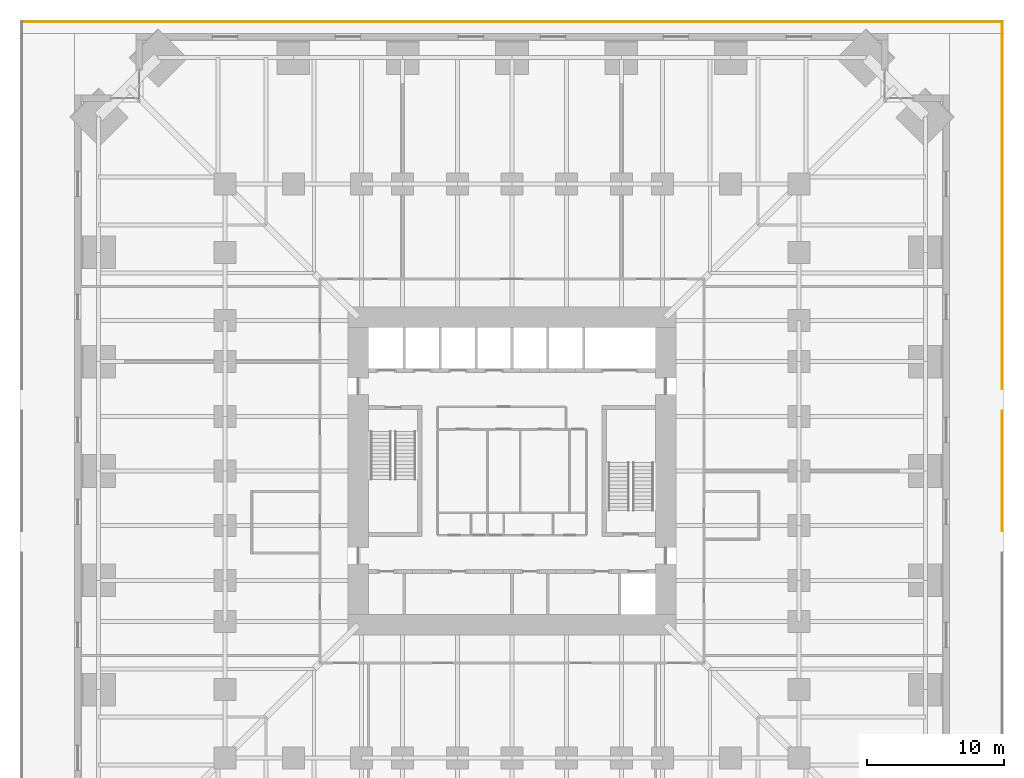
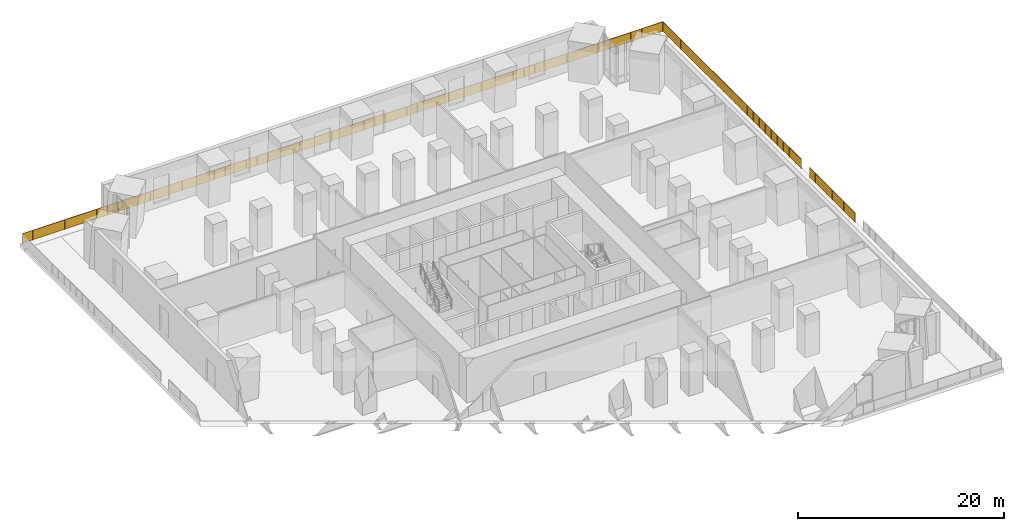
# One storey, part 26 of 26: 3 railings.
"""IFC4 building model written with IfcOpenShell, lengths in metres."""

from ifc_helpers import new_model, si_unit, direction, frame, origin, origin_2d, place, context, subcontext, project, spatial, rectangle, circle, extrude, material, type_object, element, save


model = new_model("IFC4")

# Units and contexts
model_context = context("Model", 3, precision=1e-05, world=origin(), true_north=direction((0.0, 1.0)))
body_context = subcontext(model_context, "Body", "Model", "MODEL_VIEW")
ifc_project = project(units=[si_unit("LENGTHUNIT", "METRE"), si_unit("AREAUNIT", "SQUARE_METRE"), si_unit("VOLUMEUNIT", "CUBIC_METRE"), si_unit("PLANEANGLEUNIT", "RADIAN"), si_unit("MASSUNIT", "GRAM", prefix="KILO")], contexts=[model_context])

# Site, building, storey
site_placement = place(None, origin())
site = spatial("IfcSite", under=ifc_project, at=site_placement, CompositionType="ELEMENT")
building_placement = place(site_placement, origin())
building = spatial("IfcBuilding", under=site, at=building_placement, Name="Peilmerk Tower", CompositionType="ELEMENT")
storey_placement = place(building_placement, frame((0.0, 0.0, 16.0)))
storey = spatial("IfcBuildingStorey", under=building, at=storey_placement, Name="L03", CompositionType="ELEMENT", Elevation=16.0)

# Railings
ifc_material = material(Name="Galvanised steel posts and top rail, laminated glass infill 16", Category="steel")
railing_type = type_object("IfcRailingType", Name="GR2 1200 terrace balustrade", PredefinedType="BALUSTRADE", material=ifc_material)
railing_1_placement = place(storey_placement, frame((35.85009765625, -4.39990234375, 0.0)))
element("IfcRailing", 1, at=railing_1_placement, inside=storey, type_object=railing_type, Name="Terrace balustrade L03", PredefinedType="BALUSTRADE", context=body_context, shape_type="SweptSolid", body=[
    extrude(circle(Radius=0.02392578125, at=origin_2d()), frame((0.0, 0.0, 1.17578125), z_axis=(0.0, 1.0, 0.0), x_axis=(-1.0, 0.0, 0.0)), (0.0, 0.0, 1.0), 8.7998046875),
    extrude(circle(Radius=0.02099609375, at=origin_2d()), origin(), (0.0, 0.0, 1.0), 1.15185546875),
    extrude(circle(Radius=0.02099609375, at=origin_2d()), frame((0.0, 1.10009765625, 0.0)), (0.0, 0.0, 1.0), 1.15185546875),
    extrude(circle(Radius=0.02099609375, at=origin_2d()), frame((0.0, 2.199951171875, 0.0)), (0.0, 0.0, 1.0), 1.15185546875),
    extrude(circle(Radius=0.02099609375, at=origin_2d()), frame((0.0, 3.2998046875, 0.0)), (0.0, 0.0, 1.0), 1.15185546875),
    extrude(circle(Radius=0.02099609375, at=origin_2d()), frame((0.0, 4.39990234375, 0.0)), (0.0, 0.0, 1.0), 1.15185546875),
    extrude(circle(Radius=0.02099609375, at=origin_2d()), frame((0.0, 5.5, 0.0)), (0.0, 0.0, 1.0), 1.15185546875),
    extrude(circle(Radius=0.02099609375, at=origin_2d()), frame((0.0, 6.599853515625, 0.0)), (0.0, 0.0, 1.0), 1.15185546875),
    extrude(circle(Radius=0.02099609375, at=origin_2d()), frame((0.0, 7.69970703125, 0.0)), (0.0, 0.0, 1.0), 1.15185546875),
    extrude(circle(Radius=0.02099609375, at=origin_2d()), frame((0.0, 8.7998046875, 0.0)), (0.0, 0.0, 1.0), 1.15185546875),
    extrude(rectangle(XDim=1.05810546875, YDim=0.01611328125, at=origin_2d()), frame((0.0, 0.550048828125, 0.050048828125), z_axis=(0.0, 0.0, 1.0), x_axis=(0.0, 1.0, 0.0)), (0.0, 0.0, 1.0), 1.101806640625),
    extrude(rectangle(XDim=1.05810546875, YDim=0.01611328125, at=origin_2d()), frame((0.0, 1.64990234375, 0.050048828125), z_axis=(0.0, 0.0, 1.0), x_axis=(0.0, 1.0, 0.0)), (0.0, 0.0, 1.0), 1.101806640625),
    extrude(rectangle(XDim=1.05810546875, YDim=0.01611328125, at=origin_2d()), frame((0.0, 2.75, 0.050048828125), z_axis=(0.0, 0.0, 1.0), x_axis=(0.0, 1.0, 0.0)), (0.0, 0.0, 1.0), 1.101806640625),
    extrude(rectangle(XDim=1.05810546875, YDim=0.01611328125, at=origin_2d()), frame((0.0, 3.849853515625, 0.050048828125), z_axis=(0.0, 0.0, 1.0), x_axis=(0.0, 1.0, 0.0)), (0.0, 0.0, 1.0), 1.101806640625),
    extrude(rectangle(XDim=1.05810546875, YDim=0.01611328125, at=origin_2d()), frame((0.0, 4.949951171875, 0.050048828125), z_axis=(0.0, 0.0, 1.0), x_axis=(0.0, 1.0, 0.0)), (0.0, 0.0, 1.0), 1.101806640625),
    extrude(rectangle(XDim=1.05810546875, YDim=0.01611328125, at=origin_2d()), frame((0.0, 6.0498046875, 0.050048828125), z_axis=(0.0, 0.0, 1.0), x_axis=(0.0, 1.0, 0.0)), (0.0, 0.0, 1.0), 1.101806640625),
    extrude(rectangle(XDim=1.05810546875, YDim=0.01611328125, at=origin_2d()), frame((0.0, 7.14990234375, 0.050048828125), z_axis=(0.0, 0.0, 1.0), x_axis=(0.0, 1.0, 0.0)), (0.0, 0.0, 1.0), 1.101806640625),
    extrude(rectangle(XDim=1.05810546875, YDim=0.01611328125, at=origin_2d()), frame((0.0, 8.249755859375, 0.050048828125), z_axis=(0.0, 0.0, 1.0), x_axis=(0.0, 1.0, 0.0)), (0.0, 0.0, 1.0), 1.101806640625),
])
railing_2_placement = place(storey_placement, frame((35.85009765625, 6.0, 0.0)))
element("IfcRailing", 2, at=railing_2_placement, inside=storey, type_object=railing_type, Name="Terrace balustrade L03", PredefinedType="BALUSTRADE", context=body_context, shape_type="SweptSolid", body=[
    extrude(circle(Radius=0.02392578125, at=origin_2d()), frame((0.0, 0.0, 1.17578125), z_axis=(0.0, 1.0, 0.0), x_axis=(-1.0, 0.0, 0.0)), (0.0, 0.0, 1.0), 26.85009765625),
    extrude(circle(Radius=0.02099609375, at=origin_2d()), origin(), (0.0, 0.0, 1.0), 1.15185546875),
    extrude(circle(Radius=0.02099609375, at=origin_2d()), frame((0.0, 1.16748046875, 0.0)), (0.0, 0.0, 1.0), 1.15185546875),
    extrude(circle(Radius=0.02099609375, at=origin_2d()), frame((0.0, 2.334716796875, 0.0)), (0.0, 0.0, 1.0), 1.15185546875),
    extrude(circle(Radius=0.02099609375, at=origin_2d()), frame((0.0, 3.502197265625, 0.0)), (0.0, 0.0, 1.0), 1.15185546875),
    extrude(circle(Radius=0.02099609375, at=origin_2d()), frame((0.0, 4.669677734375, 0.0)), (0.0, 0.0, 1.0), 1.15185546875),
    extrude(circle(Radius=0.02099609375, at=origin_2d()), frame((0.0, 5.8369140625, 0.0)), (0.0, 0.0, 1.0), 1.15185546875),
    extrude(circle(Radius=0.02099609375, at=origin_2d()), frame((0.0, 7.00439453125, 0.0)), (0.0, 0.0, 1.0), 1.15185546875),
    extrude(circle(Radius=0.02099609375, at=origin_2d()), frame((0.0, 8.171875, 0.0)), (0.0, 0.0, 1.0), 1.15185546875),
    extrude(circle(Radius=0.02099609375, at=origin_2d()), frame((0.0, 9.339111328125, 0.0)), (0.0, 0.0, 1.0), 1.15185546875),
    extrude(circle(Radius=0.02099609375, at=origin_2d()), frame((0.0, 10.506591796875, 0.0)), (0.0, 0.0, 1.0), 1.15185546875),
    extrude(circle(Radius=0.02099609375, at=origin_2d()), frame((0.0, 11.674072265625, 0.0)), (0.0, 0.0, 1.0), 1.15185546875),
    extrude(circle(Radius=0.02099609375, at=origin_2d()), frame((0.0, 12.84130859375, 0.0)), (0.0, 0.0, 1.0), 1.15185546875),
    extrude(circle(Radius=0.02099609375, at=origin_2d()), frame((0.0, 14.0087890625, 0.0)), (0.0, 0.0, 1.0), 1.15185546875),
    extrude(circle(Radius=0.02099609375, at=origin_2d()), frame((0.0, 15.176025390625, 0.0)), (0.0, 0.0, 1.0), 1.15185546875),
    extrude(circle(Radius=0.02099609375, at=origin_2d()), frame((0.0, 16.343505859375, 0.0)), (0.0, 0.0, 1.0), 1.15185546875),
    extrude(circle(Radius=0.02099609375, at=origin_2d()), frame((0.0, 17.510986328125, 0.0)), (0.0, 0.0, 1.0), 1.15185546875),
    extrude(circle(Radius=0.02099609375, at=origin_2d()), frame((0.0, 18.67822265625, 0.0)), (0.0, 0.0, 1.0), 1.15185546875),
    extrude(circle(Radius=0.02099609375, at=origin_2d()), frame((0.0, 19.845703125, 0.0)), (0.0, 0.0, 1.0), 1.15185546875),
    extrude(circle(Radius=0.02099609375, at=origin_2d()), frame((0.0, 21.01318359375, 0.0)), (0.0, 0.0, 1.0), 1.15185546875),
    extrude(circle(Radius=0.02099609375, at=origin_2d()), frame((0.0, 22.180419921875, 0.0)), (0.0, 0.0, 1.0), 1.15185546875),
    extrude(circle(Radius=0.02099609375, at=origin_2d()), frame((0.0, 23.347900390625, 0.0)), (0.0, 0.0, 1.0), 1.15185546875),
    extrude(circle(Radius=0.02099609375, at=origin_2d()), frame((0.0, 24.515380859375, 0.0)), (0.0, 0.0, 1.0), 1.15185546875),
    extrude(circle(Radius=0.02099609375, at=origin_2d()), frame((0.0, 25.6826171875, 0.0)), (0.0, 0.0, 1.0), 1.15185546875),
    extrude(circle(Radius=0.02099609375, at=origin_2d()), frame((0.0, 26.85009765625, 0.0)), (0.0, 0.0, 1.0), 1.15185546875),
    extrude(rectangle(XDim=1.12548828125, YDim=0.01611328125, at=origin_2d()), frame((0.0, 0.583740234375, 0.050048828125), z_axis=(0.0, 0.0, 1.0), x_axis=(0.0, 1.0, 0.0)), (0.0, 0.0, 1.0), 1.101806640625),
    extrude(rectangle(XDim=1.12548828125, YDim=0.01611328125, at=origin_2d()), frame((0.0, 1.7509765625, 0.050048828125), z_axis=(0.0, 0.0, 1.0), x_axis=(0.0, 1.0, 0.0)), (0.0, 0.0, 1.0), 1.101806640625),
    extrude(rectangle(XDim=1.12548828125, YDim=0.01611328125, at=origin_2d()), frame((0.0, 2.91845703125, 0.050048828125), z_axis=(0.0, 0.0, 1.0), x_axis=(0.0, 1.0, 0.0)), (0.0, 0.0, 1.0), 1.101806640625),
    extrude(rectangle(XDim=1.12548828125, YDim=0.01611328125, at=origin_2d()), frame((0.0, 4.0859375, 0.050048828125), z_axis=(0.0, 0.0, 1.0), x_axis=(0.0, 1.0, 0.0)), (0.0, 0.0, 1.0), 1.101806640625),
    extrude(rectangle(XDim=1.12548828125, YDim=0.01611328125, at=origin_2d()), frame((0.0, 5.253173828125, 0.050048828125), z_axis=(0.0, 0.0, 1.0), x_axis=(0.0, 1.0, 0.0)), (0.0, 0.0, 1.0), 1.101806640625),
    extrude(rectangle(XDim=1.12548828125, YDim=0.01611328125, at=origin_2d()), frame((0.0, 6.420654296875, 0.050048828125), z_axis=(0.0, 0.0, 1.0), x_axis=(0.0, 1.0, 0.0)), (0.0, 0.0, 1.0), 1.101806640625),
    extrude(rectangle(XDim=1.12548828125, YDim=0.01611328125, at=origin_2d()), frame((0.0, 7.588134765625, 0.050048828125), z_axis=(0.0, 0.0, 1.0), x_axis=(0.0, 1.0, 0.0)), (0.0, 0.0, 1.0), 1.101806640625),
    extrude(rectangle(XDim=1.12548828125, YDim=0.01611328125, at=origin_2d()), frame((0.0, 8.75537109375, 0.050048828125), z_axis=(0.0, 0.0, 1.0), x_axis=(0.0, 1.0, 0.0)), (0.0, 0.0, 1.0), 1.101806640625),
    extrude(rectangle(XDim=1.12548828125, YDim=0.01611328125, at=origin_2d()), frame((0.0, 9.9228515625, 0.050048828125), z_axis=(0.0, 0.0, 1.0), x_axis=(0.0, 1.0, 0.0)), (0.0, 0.0, 1.0), 1.101806640625),
    extrude(rectangle(XDim=1.12548828125, YDim=0.01611328125, at=origin_2d()), frame((0.0, 11.09033203125, 0.050048828125), z_axis=(0.0, 0.0, 1.0), x_axis=(0.0, 1.0, 0.0)), (0.0, 0.0, 1.0), 1.101806640625),
    extrude(rectangle(XDim=1.12548828125, YDim=0.01611328125, at=origin_2d()), frame((0.0, 12.257568359375, 0.050048828125), z_axis=(0.0, 0.0, 1.0), x_axis=(0.0, 1.0, 0.0)), (0.0, 0.0, 1.0), 1.101806640625),
    extrude(rectangle(XDim=1.12548828125, YDim=0.01611328125, at=origin_2d()), frame((0.0, 13.425048828125, 0.050048828125), z_axis=(0.0, 0.0, 1.0), x_axis=(0.0, 1.0, 0.0)), (0.0, 0.0, 1.0), 1.101806640625),
    extrude(rectangle(XDim=1.12548828125, YDim=0.01611328125, at=origin_2d()), frame((0.0, 14.592529296875, 0.050048828125), z_axis=(0.0, 0.0, 1.0), x_axis=(0.0, 1.0, 0.0)), (0.0, 0.0, 1.0), 1.101806640625),
    extrude(rectangle(XDim=1.12548828125, YDim=0.01611328125, at=origin_2d()), frame((0.0, 15.759765625, 0.050048828125), z_axis=(0.0, 0.0, 1.0), x_axis=(0.0, 1.0, 0.0)), (0.0, 0.0, 1.0), 1.101806640625),
    extrude(rectangle(XDim=1.12548828125, YDim=0.01611328125, at=origin_2d()), frame((0.0, 16.92724609375, 0.050048828125), z_axis=(0.0, 0.0, 1.0), x_axis=(0.0, 1.0, 0.0)), (0.0, 0.0, 1.0), 1.101806640625),
    extrude(rectangle(XDim=1.12548828125, YDim=0.01611328125, at=origin_2d()), frame((0.0, 18.0947265625, 0.050048828125), z_axis=(0.0, 0.0, 1.0), x_axis=(0.0, 1.0, 0.0)), (0.0, 0.0, 1.0), 1.101806640625),
    extrude(rectangle(XDim=1.12548828125, YDim=0.01611328125, at=origin_2d()), frame((0.0, 19.261962890625, 0.050048828125), z_axis=(0.0, 0.0, 1.0), x_axis=(0.0, 1.0, 0.0)), (0.0, 0.0, 1.0), 1.101806640625),
    extrude(rectangle(XDim=1.12548828125, YDim=0.01611328125, at=origin_2d()), frame((0.0, 20.429443359375, 0.050048828125), z_axis=(0.0, 0.0, 1.0), x_axis=(0.0, 1.0, 0.0)), (0.0, 0.0, 1.0), 1.101806640625),
    extrude(rectangle(XDim=1.12548828125, YDim=0.01611328125, at=origin_2d()), frame((0.0, 21.596923828125, 0.050048828125), z_axis=(0.0, 0.0, 1.0), x_axis=(0.0, 1.0, 0.0)), (0.0, 0.0, 1.0), 1.101806640625),
    extrude(rectangle(XDim=1.12548828125, YDim=0.01611328125, at=origin_2d()), frame((0.0, 22.76416015625, 0.050048828125), z_axis=(0.0, 0.0, 1.0), x_axis=(0.0, 1.0, 0.0)), (0.0, 0.0, 1.0), 1.101806640625),
    extrude(rectangle(XDim=1.12548828125, YDim=0.01611328125, at=origin_2d()), frame((0.0, 23.931640625, 0.050048828125), z_axis=(0.0, 0.0, 1.0), x_axis=(0.0, 1.0, 0.0)), (0.0, 0.0, 1.0), 1.101806640625),
    extrude(rectangle(XDim=1.12548828125, YDim=0.01611328125, at=origin_2d()), frame((0.0, 25.09912109375, 0.050048828125), z_axis=(0.0, 0.0, 1.0), x_axis=(0.0, 1.0, 0.0)), (0.0, 0.0, 1.0), 1.101806640625),
    extrude(rectangle(XDim=1.12548828125, YDim=0.01611328125, at=origin_2d()), frame((0.0, 26.266357421875, 0.050048828125), z_axis=(0.0, 0.0, 1.0), x_axis=(0.0, 1.0, 0.0)), (0.0, 0.0, 1.0), 1.101806640625),
])
railing_3_placement = place(storey_placement, frame((35.85009765625, 32.85009765625, 0.0)))
element("IfcRailing", 3, at=railing_3_placement, inside=storey, type_object=railing_type, Name="Terrace balustrade L03", PredefinedType="BALUSTRADE", context=body_context, shape_type="SweptSolid", body=[
    extrude(circle(Radius=0.02392578125, at=origin_2d()), frame((0.0, 0.0, 1.17578125), z_axis=(-1.0, 0.0, 0.0), x_axis=(0.0, -1.0, 0.0)), (0.0, 0.0, 1.0), 71.7001953125),
    extrude(circle(Radius=0.02099609375, at=origin_2d()), origin(), (0.0, 0.0, 1.0), 1.15185546875),
    extrude(circle(Radius=0.02099609375, at=origin_2d()), frame((-1.195068359375, 0.0, 0.0)), (0.0, 0.0, 1.0), 1.15185546875),
    extrude(circle(Radius=0.02099609375, at=origin_2d()), frame((-2.389892578125, 0.0, 0.0)), (0.0, 0.0, 1.0), 1.15185546875),
    extrude(circle(Radius=0.02099609375, at=origin_2d()), frame((-3.5849609375, 0.0, 0.0)), (0.0, 0.0, 1.0), 1.15185546875),
    extrude(circle(Radius=0.02099609375, at=origin_2d()), frame((-4.780029296875, 0.0, 0.0)), (0.0, 0.0, 1.0), 1.15185546875),
    extrude(circle(Radius=0.02099609375, at=origin_2d()), frame((-5.97509765625, 0.0, 0.0)), (0.0, 0.0, 1.0), 1.15185546875),
    extrude(circle(Radius=0.02099609375, at=origin_2d()), frame((-7.169921875, 0.0, 0.0)), (0.0, 0.0, 1.0), 1.15185546875),
    extrude(circle(Radius=0.02099609375, at=origin_2d()), frame((-8.364990234375, 0.0, 0.0)), (0.0, 0.0, 1.0), 1.15185546875),
    extrude(circle(Radius=0.02099609375, at=origin_2d()), frame((-9.56005859375, 0.0, 0.0)), (0.0, 0.0, 1.0), 1.15185546875),
    extrude(circle(Radius=0.02099609375, at=origin_2d()), frame((-10.755126953125, 0.0, 0.0)), (0.0, 0.0, 1.0), 1.15185546875),
    extrude(circle(Radius=0.02099609375, at=origin_2d()), frame((-11.949951171875, 0.0, 0.0)), (0.0, 0.0, 1.0), 1.15185546875),
    extrude(circle(Radius=0.02099609375, at=origin_2d()), frame((-13.14501953125, 0.0, 0.0)), (0.0, 0.0, 1.0), 1.15185546875),
    extrude(circle(Radius=0.02099609375, at=origin_2d()), frame((-14.340087890625, 0.0, 0.0)), (0.0, 0.0, 1.0), 1.15185546875),
    extrude(circle(Radius=0.02099609375, at=origin_2d()), frame((-15.53515625, 0.0, 0.0)), (0.0, 0.0, 1.0), 1.15185546875),
    extrude(circle(Radius=0.02099609375, at=origin_2d()), frame((-16.72998046875, 0.0, 0.0)), (0.0, 0.0, 1.0), 1.15185546875),
    extrude(circle(Radius=0.02099609375, at=origin_2d()), frame((-17.925048828125, 0.0, 0.0)), (0.0, 0.0, 1.0), 1.15185546875),
    extrude(circle(Radius=0.02099609375, at=origin_2d()), frame((-19.1201171875, 0.0, 0.0)), (0.0, 0.0, 1.0), 1.15185546875),
    extrude(circle(Radius=0.02099609375, at=origin_2d()), frame((-20.31494140625, 0.0, 0.0)), (0.0, 0.0, 1.0), 1.15185546875),
    extrude(circle(Radius=0.02099609375, at=origin_2d()), frame((-21.510009765625, 0.0, 0.0)), (0.0, 0.0, 1.0), 1.15185546875),
    extrude(circle(Radius=0.02099609375, at=origin_2d()), frame((-22.705078125, 0.0, 0.0)), (0.0, 0.0, 1.0), 1.15185546875),
    extrude(circle(Radius=0.02099609375, at=origin_2d()), frame((-23.900146484375, 0.0, 0.0)), (0.0, 0.0, 1.0), 1.15185546875),
    extrude(circle(Radius=0.02099609375, at=origin_2d()), frame((-25.094970703125, 0.0, 0.0)), (0.0, 0.0, 1.0), 1.15185546875),
    extrude(circle(Radius=0.02099609375, at=origin_2d()), frame((-26.2900390625, 0.0, 0.0)), (0.0, 0.0, 1.0), 1.15185546875),
    extrude(circle(Radius=0.02099609375, at=origin_2d()), frame((-27.485107421875, 0.0, 0.0)), (0.0, 0.0, 1.0), 1.15185546875),
    extrude(circle(Radius=0.02099609375, at=origin_2d()), frame((-28.68017578125, 0.0, 0.0)), (0.0, 0.0, 1.0), 1.15185546875),
    extrude(circle(Radius=0.02099609375, at=origin_2d()), frame((-29.875, 0.0, 0.0)), (0.0, 0.0, 1.0), 1.15185546875),
    extrude(circle(Radius=0.02099609375, at=origin_2d()), frame((-31.070068359375, 0.0, 0.0)), (0.0, 0.0, 1.0), 1.15185546875),
    extrude(circle(Radius=0.02099609375, at=origin_2d()), frame((-32.26513671875, 0.0, 0.0)), (0.0, 0.0, 1.0), 1.15185546875),
    extrude(circle(Radius=0.02099609375, at=origin_2d()), frame((-33.460205078125, 0.0, 0.0)), (0.0, 0.0, 1.0), 1.15185546875),
    extrude(circle(Radius=0.02099609375, at=origin_2d()), frame((-34.655029296875, 0.0, 0.0)), (0.0, 0.0, 1.0), 1.15185546875),
    extrude(circle(Radius=0.02099609375, at=origin_2d()), frame((-35.85009765625, 0.0, 0.0)), (0.0, 0.0, 1.0), 1.15185546875),
    extrude(circle(Radius=0.02099609375, at=origin_2d()), frame((-37.045166015625, 0.0, 0.0)), (0.0, 0.0, 1.0), 1.15185546875),
    extrude(circle(Radius=0.02099609375, at=origin_2d()), frame((-38.239990234375, 0.0, 0.0)), (0.0, 0.0, 1.0), 1.15185546875),
    extrude(circle(Radius=0.02099609375, at=origin_2d()), frame((-39.43505859375, 0.0, 0.0)), (0.0, 0.0, 1.0), 1.15185546875),
    extrude(circle(Radius=0.02099609375, at=origin_2d()), frame((-40.630126953125, 0.0, 0.0)), (0.0, 0.0, 1.0), 1.15185546875),
    extrude(circle(Radius=0.02099609375, at=origin_2d()), frame((-41.8251953125, 0.0, 0.0)), (0.0, 0.0, 1.0), 1.15185546875),
    extrude(circle(Radius=0.02099609375, at=origin_2d()), frame((-43.02001953125, 0.0, 0.0)), (0.0, 0.0, 1.0), 1.15185546875),
    extrude(circle(Radius=0.02099609375, at=origin_2d()), frame((-44.215087890625, 0.0, 0.0)), (0.0, 0.0, 1.0), 1.15185546875),
    extrude(circle(Radius=0.02099609375, at=origin_2d()), frame((-45.41015625, 0.0, 0.0)), (0.0, 0.0, 1.0), 1.15185546875),
    extrude(circle(Radius=0.02099609375, at=origin_2d()), frame((-46.605224609375, 0.0, 0.0)), (0.0, 0.0, 1.0), 1.15185546875),
    extrude(circle(Radius=0.02099609375, at=origin_2d()), frame((-47.800048828125, 0.0, 0.0)), (0.0, 0.0, 1.0), 1.15185546875),
    extrude(circle(Radius=0.02099609375, at=origin_2d()), frame((-48.9951171875, 0.0, 0.0)), (0.0, 0.0, 1.0), 1.15185546875),
    extrude(circle(Radius=0.02099609375, at=origin_2d()), frame((-50.190185546875, 0.0, 0.0)), (0.0, 0.0, 1.0), 1.15185546875),
    extrude(circle(Radius=0.02099609375, at=origin_2d()), frame((-51.38525390625, 0.0, 0.0)), (0.0, 0.0, 1.0), 1.15185546875),
    extrude(circle(Radius=0.02099609375, at=origin_2d()), frame((-52.580078125, 0.0, 0.0)), (0.0, 0.0, 1.0), 1.15185546875),
    extrude(circle(Radius=0.02099609375, at=origin_2d()), frame((-53.775146484375, 0.0, 0.0)), (0.0, 0.0, 1.0), 1.15185546875),
    extrude(circle(Radius=0.02099609375, at=origin_2d()), frame((-54.97021484375, 0.0, 0.0)), (0.0, 0.0, 1.0), 1.15185546875),
    extrude(circle(Radius=0.02099609375, at=origin_2d()), frame((-56.1650390625, 0.0, 0.0)), (0.0, 0.0, 1.0), 1.15185546875),
    extrude(circle(Radius=0.02099609375, at=origin_2d()), frame((-57.360107421875, 0.0, 0.0)), (0.0, 0.0, 1.0), 1.15185546875),
    extrude(circle(Radius=0.02099609375, at=origin_2d()), frame((-58.55517578125, 0.0, 0.0)), (0.0, 0.0, 1.0), 1.15185546875),
    extrude(circle(Radius=0.02099609375, at=origin_2d()), frame((-59.750244140625, 0.0, 0.0)), (0.0, 0.0, 1.0), 1.15185546875),
    extrude(circle(Radius=0.02099609375, at=origin_2d()), frame((-60.945068359375, 0.0, 0.0)), (0.0, 0.0, 1.0), 1.15185546875),
    extrude(circle(Radius=0.02099609375, at=origin_2d()), frame((-62.14013671875, 0.0, 0.0)), (0.0, 0.0, 1.0), 1.15185546875),
    extrude(circle(Radius=0.02099609375, at=origin_2d()), frame((-63.335205078125, 0.0, 0.0)), (0.0, 0.0, 1.0), 1.15185546875),
    extrude(circle(Radius=0.02099609375, at=origin_2d()), frame((-64.5302734375, 0.0, 0.0)), (0.0, 0.0, 1.0), 1.15185546875),
    extrude(circle(Radius=0.02099609375, at=origin_2d()), frame((-65.72509765625, 0.0, 0.0)), (0.0, 0.0, 1.0), 1.15185546875),
    extrude(circle(Radius=0.02099609375, at=origin_2d()), frame((-66.920166015625, 0.0, 0.0)), (0.0, 0.0, 1.0), 1.15185546875),
    extrude(circle(Radius=0.02099609375, at=origin_2d()), frame((-68.115234375, 0.0, 0.0)), (0.0, 0.0, 1.0), 1.15185546875),
    extrude(circle(Radius=0.02099609375, at=origin_2d()), frame((-69.310302734375, 0.0, 0.0)), (0.0, 0.0, 1.0), 1.15185546875),
    extrude(circle(Radius=0.02099609375, at=origin_2d()), frame((-70.505126953125, 0.0, 0.0)), (0.0, 0.0, 1.0), 1.15185546875),
    extrude(circle(Radius=0.02099609375, at=origin_2d()), frame((-71.7001953125, 0.0, 0.0)), (0.0, 0.0, 1.0), 1.15185546875),
    extrude(rectangle(XDim=1.153076171875, YDim=0.01611328125, at=origin_2d()), frame((-0.597412109375, 0.0, 0.050048828125), z_axis=(0.0, 0.0, 1.0), x_axis=(-1.0, 0.0, 0.0)), (0.0, 0.0, 1.0), 1.101806640625),
    extrude(rectangle(XDim=1.153076171875, YDim=0.01611328125, at=origin_2d()), frame((-1.79248046875, 0.0, 0.050048828125), z_axis=(0.0, 0.0, 1.0), x_axis=(-1.0, 0.0, 0.0)), (0.0, 0.0, 1.0), 1.101806640625),
    extrude(rectangle(XDim=1.153076171875, YDim=0.01611328125, at=origin_2d()), frame((-2.987548828125, 0.0, 0.050048828125), z_axis=(0.0, 0.0, 1.0), x_axis=(-1.0, 0.0, 0.0)), (0.0, 0.0, 1.0), 1.101806640625),
    extrude(rectangle(XDim=1.153076171875, YDim=0.01611328125, at=origin_2d()), frame((-4.1826171875, 0.0, 0.050048828125), z_axis=(0.0, 0.0, 1.0), x_axis=(-1.0, 0.0, 0.0)), (0.0, 0.0, 1.0), 1.101806640625),
    extrude(rectangle(XDim=1.153076171875, YDim=0.01611328125, at=origin_2d()), frame((-5.37744140625, 0.0, 0.050048828125), z_axis=(0.0, 0.0, 1.0), x_axis=(-1.0, 0.0, 0.0)), (0.0, 0.0, 1.0), 1.101806640625),
    extrude(rectangle(XDim=1.153076171875, YDim=0.01611328125, at=origin_2d()), frame((-6.572509765625, 0.0, 0.050048828125), z_axis=(0.0, 0.0, 1.0), x_axis=(-1.0, 0.0, 0.0)), (0.0, 0.0, 1.0), 1.101806640625),
    extrude(rectangle(XDim=1.153076171875, YDim=0.01611328125, at=origin_2d()), frame((-7.767578125, 0.0, 0.050048828125), z_axis=(0.0, 0.0, 1.0), x_axis=(-1.0, 0.0, 0.0)), (0.0, 0.0, 1.0), 1.101806640625),
    extrude(rectangle(XDim=1.153076171875, YDim=0.01611328125, at=origin_2d()), frame((-8.96240234375, 0.0, 0.050048828125), z_axis=(0.0, 0.0, 1.0), x_axis=(-1.0, 0.0, 0.0)), (0.0, 0.0, 1.0), 1.101806640625),
    extrude(rectangle(XDim=1.153076171875, YDim=0.01611328125, at=origin_2d()), frame((-10.157470703125, 0.0, 0.050048828125), z_axis=(0.0, 0.0, 1.0), x_axis=(-1.0, 0.0, 0.0)), (0.0, 0.0, 1.0), 1.101806640625),
    extrude(rectangle(XDim=1.153076171875, YDim=0.01611328125, at=origin_2d()), frame((-11.3525390625, 0.0, 0.050048828125), z_axis=(0.0, 0.0, 1.0), x_axis=(-1.0, 0.0, 0.0)), (0.0, 0.0, 1.0), 1.101806640625),
    extrude(rectangle(XDim=1.153076171875, YDim=0.01611328125, at=origin_2d()), frame((-12.547607421875, 0.0, 0.050048828125), z_axis=(0.0, 0.0, 1.0), x_axis=(-1.0, 0.0, 0.0)), (0.0, 0.0, 1.0), 1.101806640625),
    extrude(rectangle(XDim=1.153076171875, YDim=0.01611328125, at=origin_2d()), frame((-13.742431640625, 0.0, 0.050048828125), z_axis=(0.0, 0.0, 1.0), x_axis=(-1.0, 0.0, 0.0)), (0.0, 0.0, 1.0), 1.101806640625),
    extrude(rectangle(XDim=1.153076171875, YDim=0.01611328125, at=origin_2d()), frame((-14.9375, 0.0, 0.050048828125), z_axis=(0.0, 0.0, 1.0), x_axis=(-1.0, 0.0, 0.0)), (0.0, 0.0, 1.0), 1.101806640625),
    extrude(rectangle(XDim=1.153076171875, YDim=0.01611328125, at=origin_2d()), frame((-16.132568359375, 0.0, 0.050048828125), z_axis=(0.0, 0.0, 1.0), x_axis=(-1.0, 0.0, 0.0)), (0.0, 0.0, 1.0), 1.101806640625),
    extrude(rectangle(XDim=1.153076171875, YDim=0.01611328125, at=origin_2d()), frame((-17.32763671875, 0.0, 0.050048828125), z_axis=(0.0, 0.0, 1.0), x_axis=(-1.0, 0.0, 0.0)), (0.0, 0.0, 1.0), 1.101806640625),
    extrude(rectangle(XDim=1.153076171875, YDim=0.01611328125, at=origin_2d()), frame((-18.5224609375, 0.0, 0.050048828125), z_axis=(0.0, 0.0, 1.0), x_axis=(-1.0, 0.0, 0.0)), (0.0, 0.0, 1.0), 1.101806640625),
    extrude(rectangle(XDim=1.153076171875, YDim=0.01611328125, at=origin_2d()), frame((-19.717529296875, 0.0, 0.050048828125), z_axis=(0.0, 0.0, 1.0), x_axis=(-1.0, 0.0, 0.0)), (0.0, 0.0, 1.0), 1.101806640625),
    extrude(rectangle(XDim=1.153076171875, YDim=0.01611328125, at=origin_2d()), frame((-20.91259765625, 0.0, 0.050048828125), z_axis=(0.0, 0.0, 1.0), x_axis=(-1.0, 0.0, 0.0)), (0.0, 0.0, 1.0), 1.101806640625),
    extrude(rectangle(XDim=1.153076171875, YDim=0.01611328125, at=origin_2d()), frame((-22.107666015625, 0.0, 0.050048828125), z_axis=(0.0, 0.0, 1.0), x_axis=(-1.0, 0.0, 0.0)), (0.0, 0.0, 1.0), 1.101806640625),
    extrude(rectangle(XDim=1.153076171875, YDim=0.01611328125, at=origin_2d()), frame((-23.302490234375, 0.0, 0.050048828125), z_axis=(0.0, 0.0, 1.0), x_axis=(-1.0, 0.0, 0.0)), (0.0, 0.0, 1.0), 1.101806640625),
    extrude(rectangle(XDim=1.153076171875, YDim=0.01611328125, at=origin_2d()), frame((-24.49755859375, 0.0, 0.050048828125), z_axis=(0.0, 0.0, 1.0), x_axis=(-1.0, 0.0, 0.0)), (0.0, 0.0, 1.0), 1.101806640625),
    extrude(rectangle(XDim=1.153076171875, YDim=0.01611328125, at=origin_2d()), frame((-25.692626953125, 0.0, 0.050048828125), z_axis=(0.0, 0.0, 1.0), x_axis=(-1.0, 0.0, 0.0)), (0.0, 0.0, 1.0), 1.101806640625),
    extrude(rectangle(XDim=1.153076171875, YDim=0.01611328125, at=origin_2d()), frame((-26.8876953125, 0.0, 0.050048828125), z_axis=(0.0, 0.0, 1.0), x_axis=(-1.0, 0.0, 0.0)), (0.0, 0.0, 1.0), 1.101806640625),
    extrude(rectangle(XDim=1.153076171875, YDim=0.01611328125, at=origin_2d()), frame((-28.08251953125, 0.0, 0.050048828125), z_axis=(0.0, 0.0, 1.0), x_axis=(-1.0, 0.0, 0.0)), (0.0, 0.0, 1.0), 1.101806640625),
    extrude(rectangle(XDim=1.153076171875, YDim=0.01611328125, at=origin_2d()), frame((-29.277587890625, 0.0, 0.050048828125), z_axis=(0.0, 0.0, 1.0), x_axis=(-1.0, 0.0, 0.0)), (0.0, 0.0, 1.0), 1.101806640625),
    extrude(rectangle(XDim=1.153076171875, YDim=0.01611328125, at=origin_2d()), frame((-30.47265625, 0.0, 0.050048828125), z_axis=(0.0, 0.0, 1.0), x_axis=(-1.0, 0.0, 0.0)), (0.0, 0.0, 1.0), 1.101806640625),
    extrude(rectangle(XDim=1.153076171875, YDim=0.01611328125, at=origin_2d()), frame((-31.66748046875, 0.0, 0.050048828125), z_axis=(0.0, 0.0, 1.0), x_axis=(-1.0, 0.0, 0.0)), (0.0, 0.0, 1.0), 1.101806640625),
    extrude(rectangle(XDim=1.153076171875, YDim=0.01611328125, at=origin_2d()), frame((-32.862548828125, 0.0, 0.050048828125), z_axis=(0.0, 0.0, 1.0), x_axis=(-1.0, 0.0, 0.0)), (0.0, 0.0, 1.0), 1.101806640625),
    extrude(rectangle(XDim=1.153076171875, YDim=0.01611328125, at=origin_2d()), frame((-34.0576171875, 0.0, 0.050048828125), z_axis=(0.0, 0.0, 1.0), x_axis=(-1.0, 0.0, 0.0)), (0.0, 0.0, 1.0), 1.101806640625),
    extrude(rectangle(XDim=1.153076171875, YDim=0.01611328125, at=origin_2d()), frame((-35.252685546875, 0.0, 0.050048828125), z_axis=(0.0, 0.0, 1.0), x_axis=(-1.0, 0.0, 0.0)), (0.0, 0.0, 1.0), 1.101806640625),
    extrude(rectangle(XDim=1.153076171875, YDim=0.01611328125, at=origin_2d()), frame((-36.447509765625, 0.0, 0.050048828125), z_axis=(0.0, 0.0, 1.0), x_axis=(-1.0, 0.0, 0.0)), (0.0, 0.0, 1.0), 1.101806640625),
    extrude(rectangle(XDim=1.153076171875, YDim=0.01611328125, at=origin_2d()), frame((-37.642578125, 0.0, 0.050048828125), z_axis=(0.0, 0.0, 1.0), x_axis=(-1.0, 0.0, 0.0)), (0.0, 0.0, 1.0), 1.101806640625),
    extrude(rectangle(XDim=1.153076171875, YDim=0.01611328125, at=origin_2d()), frame((-38.837646484375, 0.0, 0.050048828125), z_axis=(0.0, 0.0, 1.0), x_axis=(-1.0, 0.0, 0.0)), (0.0, 0.0, 1.0), 1.101806640625),
    extrude(rectangle(XDim=1.153076171875, YDim=0.01611328125, at=origin_2d()), frame((-40.03271484375, 0.0, 0.050048828125), z_axis=(0.0, 0.0, 1.0), x_axis=(-1.0, 0.0, 0.0)), (0.0, 0.0, 1.0), 1.101806640625),
    extrude(rectangle(XDim=1.153076171875, YDim=0.01611328125, at=origin_2d()), frame((-41.2275390625, 0.0, 0.050048828125), z_axis=(0.0, 0.0, 1.0), x_axis=(-1.0, 0.0, 0.0)), (0.0, 0.0, 1.0), 1.101806640625),
    extrude(rectangle(XDim=1.153076171875, YDim=0.01611328125, at=origin_2d()), frame((-42.422607421875, 0.0, 0.050048828125), z_axis=(0.0, 0.0, 1.0), x_axis=(-1.0, 0.0, 0.0)), (0.0, 0.0, 1.0), 1.101806640625),
    extrude(rectangle(XDim=1.153076171875, YDim=0.01611328125, at=origin_2d()), frame((-43.61767578125, 0.0, 0.050048828125), z_axis=(0.0, 0.0, 1.0), x_axis=(-1.0, 0.0, 0.0)), (0.0, 0.0, 1.0), 1.101806640625),
    extrude(rectangle(XDim=1.153076171875, YDim=0.01611328125, at=origin_2d()), frame((-44.8125, 0.0, 0.050048828125), z_axis=(0.0, 0.0, 1.0), x_axis=(-1.0, 0.0, 0.0)), (0.0, 0.0, 1.0), 1.101806640625),
    extrude(rectangle(XDim=1.153076171875, YDim=0.01611328125, at=origin_2d()), frame((-46.007568359375, 0.0, 0.050048828125), z_axis=(0.0, 0.0, 1.0), x_axis=(-1.0, 0.0, 0.0)), (0.0, 0.0, 1.0), 1.101806640625),
    extrude(rectangle(XDim=1.153076171875, YDim=0.01611328125, at=origin_2d()), frame((-47.20263671875, 0.0, 0.050048828125), z_axis=(0.0, 0.0, 1.0), x_axis=(-1.0, 0.0, 0.0)), (0.0, 0.0, 1.0), 1.101806640625),
    extrude(rectangle(XDim=1.153076171875, YDim=0.01611328125, at=origin_2d()), frame((-48.397705078125, 0.0, 0.050048828125), z_axis=(0.0, 0.0, 1.0), x_axis=(-1.0, 0.0, 0.0)), (0.0, 0.0, 1.0), 1.101806640625),
    extrude(rectangle(XDim=1.153076171875, YDim=0.01611328125, at=origin_2d()), frame((-49.592529296875, 0.0, 0.050048828125), z_axis=(0.0, 0.0, 1.0), x_axis=(-1.0, 0.0, 0.0)), (0.0, 0.0, 1.0), 1.101806640625),
    extrude(rectangle(XDim=1.153076171875, YDim=0.01611328125, at=origin_2d()), frame((-50.78759765625, 0.0, 0.050048828125), z_axis=(0.0, 0.0, 1.0), x_axis=(-1.0, 0.0, 0.0)), (0.0, 0.0, 1.0), 1.101806640625),
    extrude(rectangle(XDim=1.153076171875, YDim=0.01611328125, at=origin_2d()), frame((-51.982666015625, 0.0, 0.050048828125), z_axis=(0.0, 0.0, 1.0), x_axis=(-1.0, 0.0, 0.0)), (0.0, 0.0, 1.0), 1.101806640625),
    extrude(rectangle(XDim=1.153076171875, YDim=0.01611328125, at=origin_2d()), frame((-53.177734375, 0.0, 0.050048828125), z_axis=(0.0, 0.0, 1.0), x_axis=(-1.0, 0.0, 0.0)), (0.0, 0.0, 1.0), 1.101806640625),
    extrude(rectangle(XDim=1.153076171875, YDim=0.01611328125, at=origin_2d()), frame((-54.37255859375, 0.0, 0.050048828125), z_axis=(0.0, 0.0, 1.0), x_axis=(-1.0, 0.0, 0.0)), (0.0, 0.0, 1.0), 1.101806640625),
    extrude(rectangle(XDim=1.153076171875, YDim=0.01611328125, at=origin_2d()), frame((-55.567626953125, 0.0, 0.050048828125), z_axis=(0.0, 0.0, 1.0), x_axis=(-1.0, 0.0, 0.0)), (0.0, 0.0, 1.0), 1.101806640625),
    extrude(rectangle(XDim=1.153076171875, YDim=0.01611328125, at=origin_2d()), frame((-56.7626953125, 0.0, 0.050048828125), z_axis=(0.0, 0.0, 1.0), x_axis=(-1.0, 0.0, 0.0)), (0.0, 0.0, 1.0), 1.101806640625),
    extrude(rectangle(XDim=1.153076171875, YDim=0.01611328125, at=origin_2d()), frame((-57.957763671875, 0.0, 0.050048828125), z_axis=(0.0, 0.0, 1.0), x_axis=(-1.0, 0.0, 0.0)), (0.0, 0.0, 1.0), 1.101806640625),
    extrude(rectangle(XDim=1.153076171875, YDim=0.01611328125, at=origin_2d()), frame((-59.152587890625, 0.0, 0.050048828125), z_axis=(0.0, 0.0, 1.0), x_axis=(-1.0, 0.0, 0.0)), (0.0, 0.0, 1.0), 1.101806640625),
    extrude(rectangle(XDim=1.153076171875, YDim=0.01611328125, at=origin_2d()), frame((-60.34765625, 0.0, 0.050048828125), z_axis=(0.0, 0.0, 1.0), x_axis=(-1.0, 0.0, 0.0)), (0.0, 0.0, 1.0), 1.101806640625),
    extrude(rectangle(XDim=1.153076171875, YDim=0.01611328125, at=origin_2d()), frame((-61.542724609375, 0.0, 0.050048828125), z_axis=(0.0, 0.0, 1.0), x_axis=(-1.0, 0.0, 0.0)), (0.0, 0.0, 1.0), 1.101806640625),
    extrude(rectangle(XDim=1.153076171875, YDim=0.01611328125, at=origin_2d()), frame((-62.73779296875, 0.0, 0.050048828125), z_axis=(0.0, 0.0, 1.0), x_axis=(-1.0, 0.0, 0.0)), (0.0, 0.0, 1.0), 1.101806640625),
    extrude(rectangle(XDim=1.153076171875, YDim=0.01611328125, at=origin_2d()), frame((-63.9326171875, 0.0, 0.050048828125), z_axis=(0.0, 0.0, 1.0), x_axis=(-1.0, 0.0, 0.0)), (0.0, 0.0, 1.0), 1.101806640625),
    extrude(rectangle(XDim=1.153076171875, YDim=0.01611328125, at=origin_2d()), frame((-65.127685546875, 0.0, 0.050048828125), z_axis=(0.0, 0.0, 1.0), x_axis=(-1.0, 0.0, 0.0)), (0.0, 0.0, 1.0), 1.101806640625),
    extrude(rectangle(XDim=1.153076171875, YDim=0.01611328125, at=origin_2d()), frame((-66.32275390625, 0.0, 0.050048828125), z_axis=(0.0, 0.0, 1.0), x_axis=(-1.0, 0.0, 0.0)), (0.0, 0.0, 1.0), 1.101806640625),
    extrude(rectangle(XDim=1.153076171875, YDim=0.01611328125, at=origin_2d()), frame((-67.517578125, 0.0, 0.050048828125), z_axis=(0.0, 0.0, 1.0), x_axis=(-1.0, 0.0, 0.0)), (0.0, 0.0, 1.0), 1.101806640625),
    extrude(rectangle(XDim=1.153076171875, YDim=0.01611328125, at=origin_2d()), frame((-68.712646484375, 0.0, 0.050048828125), z_axis=(0.0, 0.0, 1.0), x_axis=(-1.0, 0.0, 0.0)), (0.0, 0.0, 1.0), 1.101806640625),
    extrude(rectangle(XDim=1.153076171875, YDim=0.01611328125, at=origin_2d()), frame((-69.90771484375, 0.0, 0.050048828125), z_axis=(0.0, 0.0, 1.0), x_axis=(-1.0, 0.0, 0.0)), (0.0, 0.0, 1.0), 1.101806640625),
    extrude(rectangle(XDim=1.153076171875, YDim=0.01611328125, at=origin_2d()), frame((-71.102783203125, 0.0, 0.050048828125), z_axis=(0.0, 0.0, 1.0), x_axis=(-1.0, 0.0, 0.0)), (0.0, 0.0, 1.0), 1.101806640625),
])

save(model, "model.ifc")
